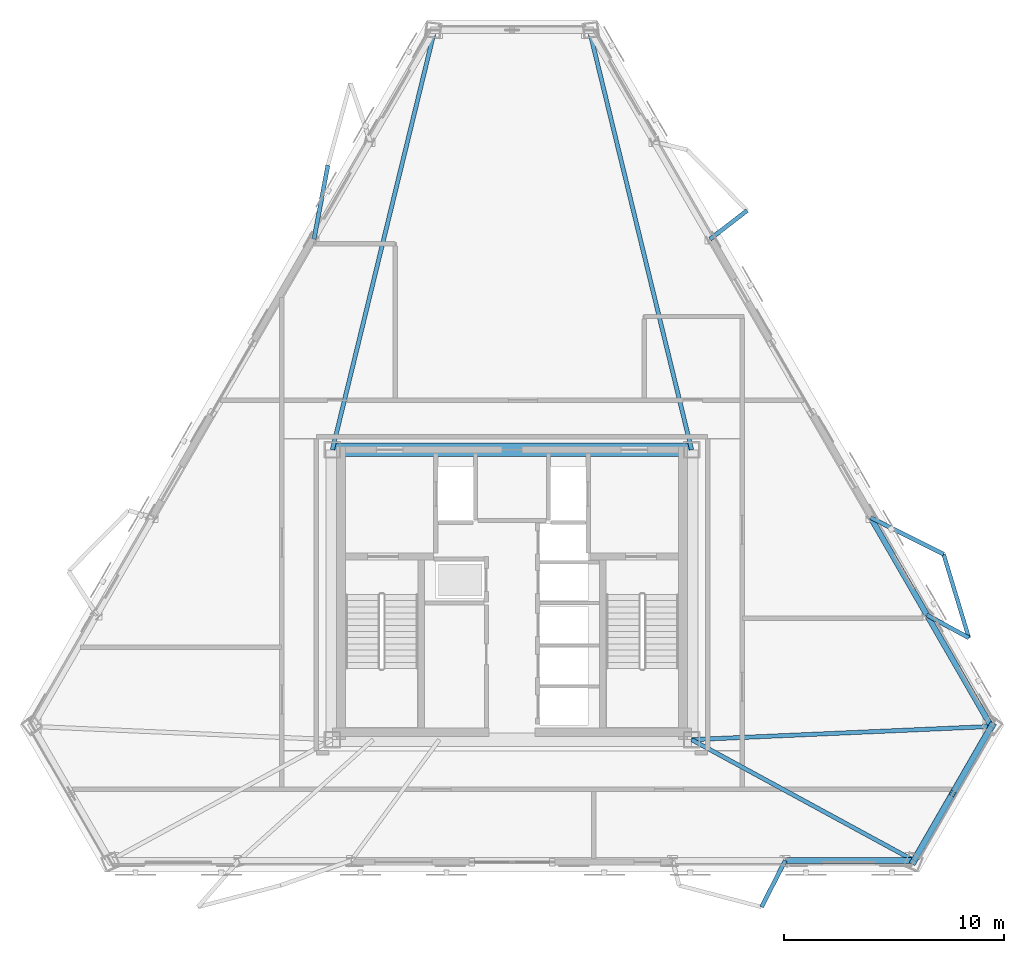
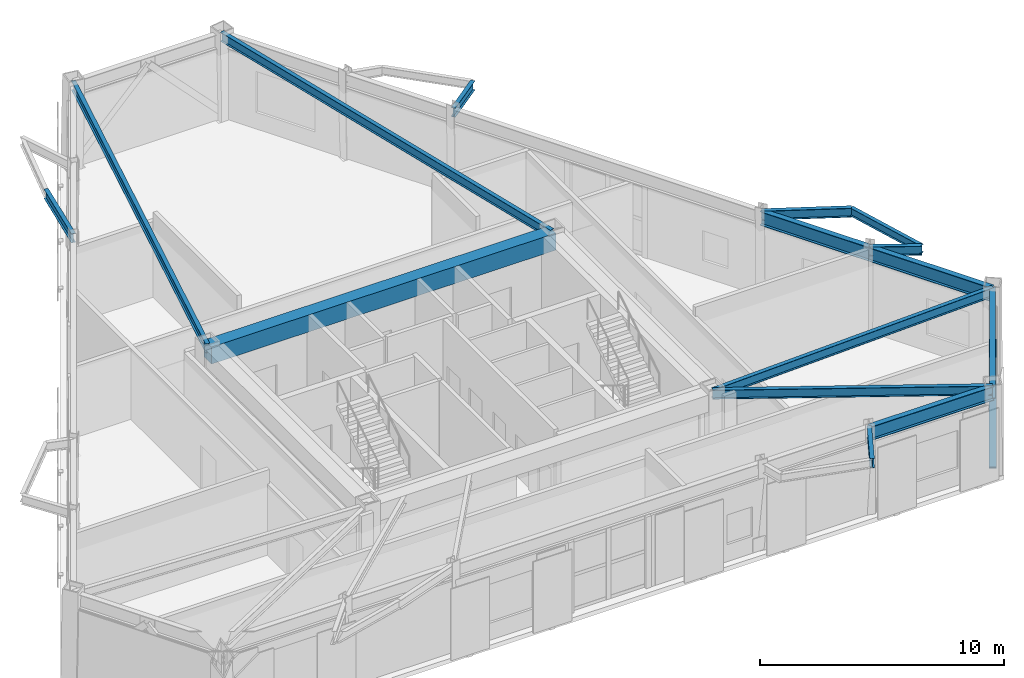
# One storey, part 5 of 14: 15 beams, 2 members.
"""IFC4 building model written with IfcOpenShell, lengths in metres."""

from ifc_helpers import new_model, si_unit, direction, frame, origin, origin_2d, place, context, subcontext, project, spatial, rectangle, hollow_rectangle, i_section, extrude, material, material_profile, profile_set, type_object, element, save


model = new_model("IFC4")

# Units and contexts
model_context = context("Model", 3, precision=1e-05, world=origin(), true_north=direction((0.0, 1.0)))
body_context = subcontext(model_context, "Body", "Model", "MODEL_VIEW")
ifc_project = project(units=[si_unit("LENGTHUNIT", "METRE"), si_unit("AREAUNIT", "SQUARE_METRE"), si_unit("VOLUMEUNIT", "CUBIC_METRE"), si_unit("PLANEANGLEUNIT", "RADIAN"), si_unit("MASSUNIT", "GRAM", prefix="KILO")], contexts=[model_context])

# Site, building, storey
site_placement = place(None, origin())
site = spatial("IfcSite", under=ifc_project, at=site_placement, CompositionType="ELEMENT")
building_placement = place(site_placement, origin())
building = spatial("IfcBuilding", under=site, at=building_placement, Name="Oramaril Tower", CompositionType="ELEMENT")
storey_placement = place(building_placement, frame((0.0, 0.0, 204.60009765625)))
storey = spatial("IfcBuildingStorey", under=building, at=storey_placement, Name="L54", CompositionType="ELEMENT", Elevation=204.60009765625)

# Beams
ifc_material_1 = material(Name="Steel ASTM A572 Gr 50", Category="steel")
ifc_material_profile_1 = material_profile(ifc_material_1, i_section(OverallWidth=0.19091796875, OverallDepth=0.45703125, WebThickness=0.009033203125, FlangeThickness=0.014404296875, at=origin_2d()), Name="W18X50")
ifc_profile_set_1 = profile_set([ifc_material_profile_1], Name="Steel ASTM A572 Gr 50")
beam_type_1 = type_object("IfcBeamType", Name="BT-BB1", PredefinedType="BEAM", material=ifc_profile_set_1)
beam_1_placement = place(storey_placement, frame((45.64990234375, 11.0, 4.051513671875), z_axis=(0.878528068261, -0.477690729739, 0.0), x_axis=(0.477690729739, 0.878528068261, 0.0)))
element("IfcBeam", 1, at=beam_1_placement, inside=storey, type_object=beam_type_1, Name="L54 Radial Primary Beam RB-03", PredefinedType="BEAM", context=body_context, shape_type="SweptSolid", body=[
    extrude(i_section(OverallWidth=0.19091796875, OverallDepth=0.45703125, WebThickness=0.009033203125, FlangeThickness=0.014404296875, at=origin_2d()), origin(), (0.0, 0.0, 1.0), 11.4775390625),
])
beam_2_placement = place(storey_placement, frame((45.64990234375, 11.0, 4.051513671875), z_axis=(0.999024933065, 0.044149553948, 0.0), x_axis=(-0.044149553948, 0.999024933065, 0.0)))
element("IfcBeam", 2, at=beam_2_placement, inside=storey, type_object=beam_type_1, Name="L54 Radial Primary Beam RB-04", PredefinedType="BEAM", context=body_context, shape_type="SweptSolid", body=[
    extrude(i_section(OverallWidth=0.19091796875, OverallDepth=0.45703125, WebThickness=0.009033203125, FlangeThickness=0.014404296875, at=origin_2d()), origin(), (0.0, 0.0, 1.0), 13.60888671875),
])
for number, where, z_axis, x_axis, name in (
    (3, (45.64990234375, 24.14990234375, 4.051513671875), (-0.236751319061, 0.971570282029, 0.0), (-0.971570282029, -0.236751319061, 0.0), "L54 Radial Primary Beam RB-05"),
    (4, (29.35009765625, 24.14990234375, 4.051513671875), (0.236751319061, 0.971570282029, 0.0), (-0.971570282029, 0.236751319061, 0.0), "L54 Radial Primary Beam RB-06"),
):
    element("IfcBeam", number, at=place(storey_placement, frame(where, z_axis=z_axis, x_axis=x_axis)), inside=storey, type_object=beam_type_1, Name=name, PredefinedType="BEAM", context=body_context, shape_type="SweptSolid", body=[
        extrude(i_section(OverallWidth=0.19091796875, OverallDepth=0.45703125, WebThickness=0.009033203125, FlangeThickness=0.014404296875, at=origin_2d()), origin(), (0.0, 0.0, 1.0), 19.5888671875),
    ])
beam_3_placement = place(storey_placement, frame((49.898681640625, 5.517333984375, 4.051513671875), z_axis=(-0.455238228956, -0.890369673168, 0.0), x_axis=(0.890369673168, -0.455238228956, 0.0)))
element("IfcBeam", 5, at=beam_3_placement, inside=storey, type_object=beam_type_1, Name="L54 Balcony Column-Framed Cantilever 02.2", PredefinedType="BEAM", context=body_context, shape_type="SweptSolid", body=[
    extrude(i_section(OverallWidth=0.19091796875, OverallDepth=0.45703125, WebThickness=0.009033203125, FlangeThickness=0.014404296875, at=origin_2d()), origin(), (0.0, 0.0, 1.0), 2.36767578125),
])
beam_4_placement = place(storey_placement, frame((56.328369140625, 16.65380859375, 4.051513671875), z_axis=(0.878076573465, -0.47852014705, 0.0), x_axis=(0.47852014705, 0.878076573465, 0.0)))
element("IfcBeam", 6, at=beam_4_placement, inside=storey, type_object=beam_type_1, Name="L54 Balcony Column-Framed Cantilever 03.1", PredefinedType="BEAM", context=body_context, shape_type="SweptSolid", body=[
    extrude(i_section(OverallWidth=0.19091796875, OverallDepth=0.45703125, WebThickness=0.009033203125, FlangeThickness=0.014404296875, at=origin_2d()), origin(), (0.0, 0.0, 1.0), 2.164306640625),
])
beam_5_placement = place(storey_placement, frame((53.775634765625, 21.0751953125, 4.051513671875), z_axis=(0.893421986435, -0.449218381363, 0.0), x_axis=(0.449218381363, 0.893421986435, 0.0)))
element("IfcBeam", 7, at=beam_5_placement, inside=storey, type_object=beam_type_1, Name="L54 Balcony Column-Framed Cantilever 03.2", PredefinedType="BEAM", context=body_context, shape_type="SweptSolid", body=[
    extrude(i_section(OverallWidth=0.19091796875, OverallDepth=0.45703125, WebThickness=0.009033203125, FlangeThickness=0.014404296875, at=origin_2d()), origin(), (0.0, 0.0, 1.0), 3.699951171875),
])
beam_6_placement = place(storey_placement, frame((46.482421875, 33.70751953125, 4.051513671875), z_axis=(0.791602984411, 0.611035772334, 0.0), x_axis=(-0.611035772334, 0.791602984411, 0.0)))
element("IfcBeam", 8, at=beam_6_placement, inside=storey, type_object=beam_type_1, Name="L54 Balcony Column-Framed Cantilever 04.1", PredefinedType="BEAM", context=body_context, shape_type="SweptSolid", body=[
    extrude(i_section(OverallWidth=0.19091796875, OverallDepth=0.45703125, WebThickness=0.009033203125, FlangeThickness=0.014404296875, at=origin_2d()), origin(), (0.0, 0.0, 1.0), 2.126708984375),
])
beam_7_placement = place(storey_placement, frame((28.517578125, 33.70751953125, 4.051513671875), z_axis=(0.184479227384, 0.982836412972, 0.0), x_axis=(-0.982836412972, 0.184479227384, 0.0)))
element("IfcBeam", 9, at=beam_7_placement, inside=storey, type_object=beam_type_1, Name="L54 Balcony Column-Framed Cantilever 05.2", PredefinedType="BEAM", context=body_context, shape_type="SweptSolid", body=[
    extrude(i_section(OverallWidth=0.19091796875, OverallDepth=0.45703125, WebThickness=0.009033203125, FlangeThickness=0.014404296875, at=origin_2d()), origin(), (0.0, 0.0, 1.0), 3.401123046875),
])
ifc_material_2 = material(Name="Concrete C50/60", Category="concrete")
ifc_material_profile_2 = material_profile(ifc_material_2, rectangle(XDim=0.60009765625, YDim=0.85009765625, at=origin_2d()), Name="CB600X850")
ifc_profile_set_2 = profile_set([ifc_material_profile_2], Name="Concrete C50/60")
beam_type_2 = type_object("IfcBeamType", Name="BT-CB2", PredefinedType="BEAM", material=ifc_profile_set_2)
beam_8_placement = place(storey_placement, frame((45.64990234375, 24.14990234375, 3.85498046875), z_axis=(-1.0, 0.0, 0.0), x_axis=(0.0, -1.0, 0.0)))
element("IfcBeam", 10, at=beam_8_placement, inside=storey, type_object=beam_type_2, Name="L54 Core Header Beam CB-3", PredefinedType="BEAM", context=body_context, shape_type="SweptSolid", body=[
    extrude(rectangle(XDim=0.60009765625, YDim=0.85009765625, at=origin_2d()), origin(), (0.0, 0.0, 1.0), 16.2998046875),
])
ifc_material_3 = material(Name="Steel ASTM A572 Gr 50", Category="steel")
ifc_material_profile_3 = material_profile(ifc_material_3, i_section(OverallWidth=0.177978515625, OverallDepth=0.404052734375, WebThickness=0.007568359375, FlangeThickness=0.010986328125, at=origin_2d()), Name="W16X36")
ifc_profile_set_3 = profile_set([ifc_material_profile_3], Name="Steel ASTM A572 Gr 50")
beam_type_3 = type_object("IfcBeamType", Name="BT-SB1", PredefinedType="BEAM", material=ifc_profile_set_3)
beam_9_placement = place(storey_placement, frame((58.228759765625, 15.6181640625, 4.077880859375), z_axis=(-0.289426241589, 0.957200318993, 0.0), x_axis=(-0.957200318993, -0.289426241589, 0.0)))
element("IfcBeam", 11, at=beam_9_placement, inside=storey, type_object=beam_type_3, Name="L54 Balcony Edge Tie Beam 03", PredefinedType="BEAM", context=body_context, shape_type="SweptSolid", body=[
    extrude(i_section(OverallWidth=0.177978515625, OverallDepth=0.404052734375, WebThickness=0.007568359375, FlangeThickness=0.010986328125, at=origin_2d()), origin(), (0.0, 0.0, 1.0), 3.964599609375),
])
ifc_material_4 = material(Name="Steel ASTM A572 Gr 50", Category="steel")
ifc_material_profile_4 = material_profile(ifc_material_4, i_section(OverallWidth=0.257080078125, OverallDepth=0.693115234375, WebThickness=0.014404296875, FlangeThickness=0.023681640625, at=origin_2d()), Name="W27X114")
ifc_profile_set_4 = profile_set([ifc_material_profile_4], Name="Steel ASTM A572 Gr 50")
beam_type_4 = type_object("IfcBeamType", Name="BT-SP4", PredefinedType="SPANDREL", material=ifc_profile_set_4)
beam_10_placement = place(storey_placement, frame((49.898681640625, 5.517333984375, 3.933349609375), z_axis=(1.0, 0.0, 0.0), x_axis=(0.0, 1.0, 0.0)))
element("IfcBeam", 12, at=beam_10_placement, inside=storey, type_object=beam_type_4, Name="L54 Perimeter Spandrel 06", PredefinedType="SPANDREL", context=body_context, shape_type="SweptSolid", body=[
    extrude(i_section(OverallWidth=0.257080078125, OverallDepth=0.693115234375, WebThickness=0.014404296875, FlangeThickness=0.023681640625, at=origin_2d()), origin(), (0.0, 0.0, 1.0), 5.83447265625),
])
beam_11_placement = place(storey_placement, frame((55.733154296875, 5.517333984375, 3.933349609375), z_axis=(0.500015274395, 0.866016584929, 0.0), x_axis=(-0.866016584929, 0.500015274395, 0.0)))
element("IfcBeam", 13, at=beam_11_placement, inside=storey, type_object=beam_type_4, Name="L54 Perimeter Spandrel 07", PredefinedType="SPANDREL", context=body_context, shape_type="SweptSolid", body=[
    extrude(i_section(OverallWidth=0.257080078125, OverallDepth=0.693115234375, WebThickness=0.014404296875, FlangeThickness=0.023681640625, at=origin_2d()), origin(), (0.0, 0.0, 1.0), 7.024658203125),
])
beam_12_placement = place(storey_placement, frame((59.24560546875, 11.600830078125, 3.933349609375), z_axis=(-0.499986865671, 0.86603298676, 0.0), x_axis=(-0.86603298676, -0.499986865671, 0.0)))
element("IfcBeam", 14, at=beam_12_placement, inside=storey, type_object=beam_type_4, Name="L54 Perimeter Spandrel 08", PredefinedType="SPANDREL", context=body_context, shape_type="SweptSolid", body=[
    extrude(i_section(OverallWidth=0.257080078125, OverallDepth=0.693115234375, WebThickness=0.014404296875, FlangeThickness=0.023681640625, at=origin_2d()), origin(), (0.0, 0.0, 1.0), 5.834716796875),
])
beam_13_placement = place(storey_placement, frame((56.328369140625, 16.65380859375, 3.933349609375), z_axis=(-0.5000066933, 0.866021539371, 0.0), x_axis=(-0.866021539371, -0.5000066933, 0.0)))
element("IfcBeam", 15, at=beam_13_placement, inside=storey, type_object=beam_type_4, Name="L54 Perimeter Spandrel 09", PredefinedType="SPANDREL", context=body_context, shape_type="SweptSolid", body=[
    extrude(i_section(OverallWidth=0.257080078125, OverallDepth=0.693115234375, WebThickness=0.014404296875, FlangeThickness=0.023681640625, at=origin_2d()), origin(), (0.0, 0.0, 1.0), 5.10546875),
])

# Members
ifc_material_5 = material(Name="Steel ASTM A572 Gr 50", Category="steel")
ifc_material_profile_5 = material_profile(ifc_material_5, hollow_rectangle(XDim=0.300048828125, YDim=0.300048828125, WallThickness=0.01611328125, at=origin_2d()), Name="HSS300X300X16")
ifc_profile_set_5 = profile_set([ifc_material_profile_5], Name="Steel ASTM A572 Gr 50")
member_type = type_object("IfcMemberType", Name="MT-KB2", PredefinedType="BRACE", material=ifc_profile_set_5)
for number, where, z_axis, x_axis, name in (
    (16, (55.704833984375, 5.44921875, 0.179931640625), (0.345365615573, 0.598216704954, 0.723090150323), (-0.866034781647, 0.499983756713, 0.0), "L54 Perimeter Chevron Brace KB-2A"),
    (17, (59.290283203125, 11.65966796875, 0.179931640625), (-0.345365615573, -0.598216704954, 0.723090150323), (0.866034781647, -0.499983756713, 0.0), "L54 Perimeter Chevron Brace KB-2B"),
):
    element("IfcMember", number, at=place(storey_placement, frame(where, z_axis=z_axis, x_axis=x_axis)), inside=storey, type_object=member_type, Name=name, PredefinedType="BRACE", context=body_context, shape_type="SweptSolid", body=[
        extrude(hollow_rectangle(XDim=0.300048828125, YDim=0.300048828125, WallThickness=0.01611328125, at=origin_2d()), origin(), (0.0, 0.0, 1.0), 5.19091796875),
    ])

save(model, "model.ifc")
